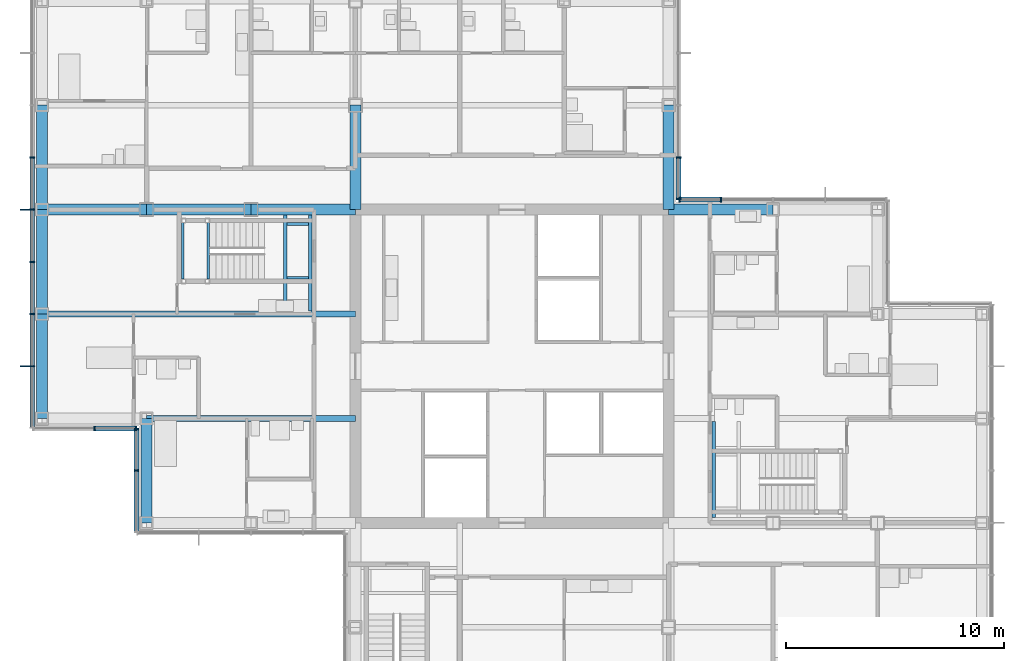
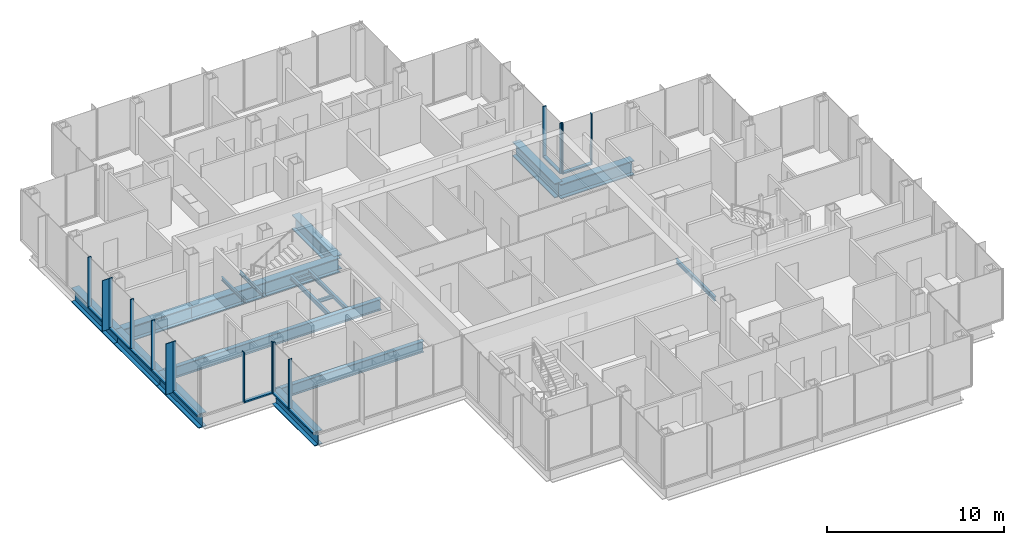
# One storey, part 7 of 20: 25 members, 19 beams, 5 elements without a shape of their own.
"""IFC4 building model written with IfcOpenShell, lengths in metres."""

from ifc_helpers import new_model, si_unit, direction, frame, origin, origin_2d, place, context, subcontext, project, spatial, rectangle, i_section, extrude, material, material_profile, profile_set, type_object, element, aggregate, save


model = new_model("IFC4")

# Units and contexts
model_context = context("Model", 3, precision=1e-05, world=origin(), true_north=direction((0.0, 1.0)))
body_context = subcontext(model_context, "Body", "Model", "MODEL_VIEW")
ifc_project = project(units=[si_unit("LENGTHUNIT", "METRE"), si_unit("AREAUNIT", "SQUARE_METRE"), si_unit("VOLUMEUNIT", "CUBIC_METRE"), si_unit("PLANEANGLEUNIT", "RADIAN"), si_unit("MASSUNIT", "GRAM", prefix="KILO")], contexts=[model_context])

# Site, building, storey
site_placement = place(None, origin())
site = spatial("IfcSite", under=ifc_project, at=site_placement, CompositionType="ELEMENT")
building_placement = place(site_placement, origin())
building = spatial("IfcBuilding", under=site, at=building_placement, Name="Kvirike Care Tower", CompositionType="ELEMENT")
storey_placement = place(building_placement, frame((0.0, 0.0, 122.5)))
storey = spatial("IfcBuildingStorey", under=building, at=storey_placement, Name="L33", CompositionType="ELEMENT", Elevation=122.5)

# Curtain wall, members
ifc_material_1 = material(Name="Anodised aluminium stick system", Category="aluminium")
curtain_wall_type = type_object("IfcCurtainWallType", Name="CW-B STICK CURTAIN WALL", PredefinedType="NOTDEFINED", material=ifc_material_1)
curtain_wall_1_placement = place(storey_placement, origin())
curtain_wall_1 = element("IfcCurtainWall", 1, at=curtain_wall_1_placement, inside=storey, type_object=curtain_wall_type, Name="Curtain wall L33 face 11", PredefinedType="NOTDEFINED")
ifc_material_2 = material(Name="Bronze anodised aluminium fin", Category="aluminium")
ifc_material_profile_1 = material_profile(ifc_material_2, rectangle(XDim=0.050048828125, YDim=0.449951171875, at=origin_2d()), Name="BRONZE FIN 450")
ifc_profile_set_1 = profile_set([ifc_material_profile_1], Name="Bronze anodised aluminium fin")
member_type_1 = type_object("IfcMemberType", Name="BRONZE FIN 450", PredefinedType="USERDEFINED", material=ifc_profile_set_1)
member_1_placement = place(storey_placement, frame((-0.794921875, 43.199951171875, 0.0), z_axis=(0.0, 0.0, 1.0), x_axis=(0.0, -1.0, 0.0)))
member_1 = element("IfcMember", 2, at=member_1_placement, type_object=member_type_1, Name="Bronze fin L33 face 11.5", ObjectType="FIN", PredefinedType="USERDEFINED", context=body_context, shape_type="SweptSolid", body=[
    extrude(rectangle(XDim=0.050048828125, YDim=0.449951171875, at=origin_2d()), origin(), (0.0, 0.0, 1.0), 3.5),
])
member_2_placement = place(storey_placement, frame((-0.794921875, 36.0, 0.0), z_axis=(0.0, 0.0, 1.0), x_axis=(0.0, -1.0, 0.0)))
member_2 = element("IfcMember", 3, at=member_2_placement, type_object=member_type_1, Name="Bronze fin L33 face 11.8", ObjectType="FIN", PredefinedType="USERDEFINED", context=body_context, shape_type="SweptSolid", body=[
    extrude(rectangle(XDim=0.050048828125, YDim=0.449951171875, at=origin_2d()), origin(), (0.0, 0.0, 1.0), 3.5),
])

curtain_wall_2_placement = place(storey_placement, origin())
curtain_wall_2 = element("IfcCurtainWall", 4, at=curtain_wall_2_placement, inside=storey, type_object=curtain_wall_type, Name="Curtain wall L33 face 4", PredefinedType="NOTDEFINED")
ifc_material_3 = material(Name="Bronze anodised aluminium mullion", Category="aluminium")
ifc_material_profile_2 = material_profile(ifc_material_3, rectangle(XDim=0.06494140625, YDim=0.219970703125, at=origin_2d()), Name="CW-B MULLION 65x220")
ifc_profile_set_2 = profile_set([ifc_material_profile_2], Name="Bronze anodised aluminium mullion")
member_type_2 = type_object("IfcMemberType", Name="CW-B MULLION 65x220", PredefinedType="MULLION", material=ifc_profile_set_2)
member_3_placement = place(storey_placement, frame((31.199951171875, 43.659912109375, 0.0), z_axis=(0.0, 0.0, 1.0), x_axis=(-1.0, 0.0, 0.0)))
member_3 = element("IfcMember", 5, at=member_3_placement, type_object=member_type_2, Name="CW-B mullion L33 face 4.4", PredefinedType="MULLION", context=body_context, shape_type="SweptSolid", body=[
    extrude(rectangle(XDim=0.06494140625, YDim=0.219970703125, at=origin_2d()), origin(), (0.0, 0.0, 1.0), 3.5),
])
member_4_placement = place(storey_placement, frame((29.29248046875, 43.659912109375, 0.0), z_axis=(0.0, 0.0, 1.0), x_axis=(-1.0, 0.0, 0.0)))
member_4 = element("IfcMember", 6, at=member_4_placement, type_object=member_type_2, Name="CW-B mullion L33 face 4.5", PredefinedType="MULLION", context=body_context, shape_type="SweptSolid", body=[
    extrude(rectangle(XDim=0.06494140625, YDim=0.219970703125, at=origin_2d()), origin(), (0.0, 0.0, 1.0), 3.5),
])

curtain_wall_3_placement = place(storey_placement, origin())
curtain_wall_3 = element("IfcCurtainWall", 7, at=curtain_wall_3_placement, inside=storey, type_object=curtain_wall_type, Name="Curtain wall L33 face 5", PredefinedType="NOTDEFINED")
member_5_placement = place(storey_placement, frame((29.260009765625, 43.6923828125, 0.0), z_axis=(0.0, 0.0, 1.0), x_axis=(0.0, 1.0, 0.0)))
member_5 = element("IfcMember", 8, at=member_5_placement, type_object=member_type_2, Name="CW-B mullion L33 face 5.1", PredefinedType="MULLION", context=body_context, shape_type="SweptSolid", body=[
    extrude(rectangle(XDim=0.06494140625, YDim=0.219970703125, at=origin_2d()), origin(), (0.0, 0.0, 1.0), 3.5),
])
member_6_placement = place(storey_placement, frame((29.260009765625, 45.60009765625, 0.0), z_axis=(0.0, 0.0, 1.0), x_axis=(0.0, 1.0, 0.0)))
member_6 = element("IfcMember", 9, at=member_6_placement, type_object=member_type_2, Name="CW-B mullion L33 face 5.2", PredefinedType="MULLION", context=body_context, shape_type="SweptSolid", body=[
    extrude(rectangle(XDim=0.06494140625, YDim=0.219970703125, at=origin_2d()), origin(), (0.0, 0.0, 1.0), 3.5),
])

# Member
member_7_placement = place(storey_placement, frame((-0.4599609375, 45.60009765625, 0.0), z_axis=(0.0, 0.0, 1.0), x_axis=(0.0, -1.0, 0.0)))
member_7 = element("IfcMember", 10, at=member_7_placement, type_object=member_type_2, Name="CW-B mullion L33 face 11.4", PredefinedType="MULLION", context=body_context, shape_type="SweptSolid", body=[
    extrude(rectangle(XDim=0.06494140625, YDim=0.219970703125, at=origin_2d()), origin(), (0.0, 0.0, 1.0), 3.5),
])

member_8_placement = place(storey_placement, frame((-0.4599609375, 43.199951171875, 0.0), z_axis=(0.0, 0.0, 1.0), x_axis=(0.0, -1.0, 0.0)))
member_8 = element("IfcMember", 11, at=member_8_placement, type_object=member_type_2, Name="CW-B mullion L33 face 11.5", PredefinedType="MULLION", context=body_context, shape_type="SweptSolid", body=[
    extrude(rectangle(XDim=0.06494140625, YDim=0.219970703125, at=origin_2d()), origin(), (0.0, 0.0, 1.0), 3.5),
])

member_9_placement = place(storey_placement, frame((-0.4599609375, 40.800048828125, 0.0), z_axis=(0.0, 0.0, 1.0), x_axis=(0.0, -1.0, 0.0)))
member_9 = element("IfcMember", 12, at=member_9_placement, type_object=member_type_2, Name="CW-B mullion L33 face 11.6", PredefinedType="MULLION", context=body_context, shape_type="SweptSolid", body=[
    extrude(rectangle(XDim=0.06494140625, YDim=0.219970703125, at=origin_2d()), origin(), (0.0, 0.0, 1.0), 3.5),
])

member_10_placement = place(storey_placement, frame((-0.4599609375, 38.39990234375, 0.0), z_axis=(0.0, 0.0, 1.0), x_axis=(0.0, -1.0, 0.0)))
member_10 = element("IfcMember", 13, at=member_10_placement, type_object=member_type_2, Name="CW-B mullion L33 face 11.7", PredefinedType="MULLION", context=body_context, shape_type="SweptSolid", body=[
    extrude(rectangle(XDim=0.06494140625, YDim=0.219970703125, at=origin_2d()), origin(), (0.0, 0.0, 1.0), 3.5),
])

member_11_placement = place(storey_placement, frame((-0.4599609375, 36.0, 0.0), z_axis=(0.0, 0.0, 1.0), x_axis=(0.0, -1.0, 0.0)))
member_11 = element("IfcMember", 14, at=member_11_placement, type_object=member_type_2, Name="CW-B mullion L33 face 11.8", PredefinedType="MULLION", context=body_context, shape_type="SweptSolid", body=[
    extrude(rectangle(XDim=0.06494140625, YDim=0.219970703125, at=origin_2d()), origin(), (0.0, 0.0, 1.0), 3.5),
])

# Curtain wall, members
curtain_wall_4_placement = place(storey_placement, origin())
curtain_wall_4 = element("IfcCurtainWall", 15, at=curtain_wall_4_placement, inside=storey, type_object=curtain_wall_type, Name="Curtain wall L33 face 12", PredefinedType="NOTDEFINED")
member_12_placement = place(storey_placement, frame((2.39990234375, 33.139892578125, 0.0), z_axis=(0.0, 0.0, 1.0), x_axis=(1.0, 0.0, 0.0)))
member_12 = element("IfcMember", 16, at=member_12_placement, type_object=member_type_2, Name="CW-B mullion L33 face 12.2", PredefinedType="MULLION", context=body_context, shape_type="SweptSolid", body=[
    extrude(rectangle(XDim=0.06494140625, YDim=0.219970703125, at=origin_2d()), origin(), (0.0, 0.0, 1.0), 3.5),
])
member_13_placement = place(storey_placement, frame((4.3076171875, 33.139892578125, 0.0), z_axis=(0.0, 0.0, 1.0), x_axis=(1.0, 0.0, 0.0)))
member_13 = element("IfcMember", 17, at=member_13_placement, type_object=member_type_2, Name="CW-B mullion L33 face 12.3", PredefinedType="MULLION", context=body_context, shape_type="SweptSolid", body=[
    extrude(rectangle(XDim=0.06494140625, YDim=0.219970703125, at=origin_2d()), origin(), (0.0, 0.0, 1.0), 3.5),
])

curtain_wall_5_placement = place(storey_placement, origin())
curtain_wall_5 = element("IfcCurtainWall", 18, at=curtain_wall_5_placement, inside=storey, type_object=curtain_wall_type, Name="Curtain wall L33 face 13", PredefinedType="NOTDEFINED")
member_14_placement = place(storey_placement, frame((4.340087890625, 33.107421875, 0.0), z_axis=(0.0, 0.0, 1.0), x_axis=(0.0, -1.0, 0.0)))
member_14 = element("IfcMember", 19, at=member_14_placement, type_object=member_type_2, Name="CW-B mullion L33 face 13.1", PredefinedType="MULLION", context=body_context, shape_type="SweptSolid", body=[
    extrude(rectangle(XDim=0.06494140625, YDim=0.219970703125, at=origin_2d()), origin(), (0.0, 0.0, 1.0), 3.5),
])
member_15_placement = place(storey_placement, frame((4.340087890625, 31.199951171875, 0.0), z_axis=(0.0, 0.0, 1.0), x_axis=(0.0, -1.0, 0.0)))
member_15 = element("IfcMember", 20, at=member_15_placement, type_object=member_type_2, Name="CW-B mullion L33 face 13.2", PredefinedType="MULLION", context=body_context, shape_type="SweptSolid", body=[
    extrude(rectangle(XDim=0.06494140625, YDim=0.219970703125, at=origin_2d()), origin(), (0.0, 0.0, 1.0), 3.5),
])

# Member
ifc_material_4 = material(Name="Bronze anodised aluminium transom", Category="aluminium")
ifc_material_profile_3 = material_profile(ifc_material_4, rectangle(XDim=0.219970703125, YDim=0.10009765625, at=origin_2d()), Name="CW-B TRANSOM 220x100")
ifc_profile_set_3 = profile_set([ifc_material_profile_3], Name="Bronze anodised aluminium transom")
member_type_3 = type_object("IfcMemberType", Name="CW-B TRANSOM 220x100", PredefinedType="USERDEFINED", material=ifc_profile_set_3)
member_16_placement = place(storey_placement, frame((31.16748046875, 43.659912109375, 0.050048828125), z_axis=(-1.0, 0.0, 0.0), x_axis=(0.0, -1.0, 0.0)))
member_16 = element("IfcMember", 21, at=member_16_placement, type_object=member_type_3, Name="CW-B sill transom L33 face 4.4", ObjectType="TRANSOM", PredefinedType="USERDEFINED", context=body_context, shape_type="SweptSolid", body=[
    extrude(rectangle(XDim=0.219970703125, YDim=0.10009765625, at=origin_2d()), origin(), (0.0, 0.0, 1.0), 1.842529296875),
])

aggregate(curtain_wall_2, [member_3, member_4, member_16])

member_17_placement = place(storey_placement, frame((29.260009765625, 43.72509765625, 0.050048828125), z_axis=(0.0, 1.0, 0.0), x_axis=(-1.0, 0.0, 0.0)))
member_17 = element("IfcMember", 22, at=member_17_placement, type_object=member_type_3, Name="CW-B sill transom L33 face 5.1", ObjectType="TRANSOM", PredefinedType="USERDEFINED", context=body_context, shape_type="SweptSolid", body=[
    extrude(rectangle(XDim=0.219970703125, YDim=0.10009765625, at=origin_2d()), origin(), (0.0, 0.0, 1.0), 1.84228515625),
])

aggregate(curtain_wall_3, [member_5, member_6, member_17])

member_18_placement = place(storey_placement, frame((-0.4599609375, 45.5673828125, 0.050048828125), z_axis=(0.0, -1.0, 0.0), x_axis=(1.0, 0.0, 0.0)))
member_18 = element("IfcMember", 23, at=member_18_placement, type_object=member_type_3, Name="CW-B sill transom L33 face 11.4", ObjectType="TRANSOM", PredefinedType="USERDEFINED", context=body_context, shape_type="SweptSolid", body=[
    extrude(rectangle(XDim=0.219970703125, YDim=0.10009765625, at=origin_2d()), origin(), (0.0, 0.0, 1.0), 2.3349609375),
])

member_19_placement = place(storey_placement, frame((-0.4599609375, 43.16748046875, 0.050048828125), z_axis=(0.0, -1.0, 0.0), x_axis=(1.0, 0.0, 0.0)))
member_19 = element("IfcMember", 24, at=member_19_placement, type_object=member_type_3, Name="CW-B sill transom L33 face 11.5", ObjectType="TRANSOM", PredefinedType="USERDEFINED", context=body_context, shape_type="SweptSolid", body=[
    extrude(rectangle(XDim=0.219970703125, YDim=0.10009765625, at=origin_2d()), origin(), (0.0, 0.0, 1.0), 2.3349609375),
])

member_20_placement = place(storey_placement, frame((-0.4599609375, 40.767578125, 0.050048828125), z_axis=(0.0, -1.0, 0.0), x_axis=(1.0, 0.0, 0.0)))
member_20 = element("IfcMember", 25, at=member_20_placement, type_object=member_type_3, Name="CW-B sill transom L33 face 11.6", ObjectType="TRANSOM", PredefinedType="USERDEFINED", context=body_context, shape_type="SweptSolid", body=[
    extrude(rectangle(XDim=0.219970703125, YDim=0.10009765625, at=origin_2d()), origin(), (0.0, 0.0, 1.0), 2.3349609375),
])

member_21_placement = place(storey_placement, frame((-0.4599609375, 38.367431640625, 0.050048828125), z_axis=(0.0, -1.0, 0.0), x_axis=(1.0, 0.0, 0.0)))
member_21 = element("IfcMember", 26, at=member_21_placement, type_object=member_type_3, Name="CW-B sill transom L33 face 11.7", ObjectType="TRANSOM", PredefinedType="USERDEFINED", context=body_context, shape_type="SweptSolid", body=[
    extrude(rectangle(XDim=0.219970703125, YDim=0.10009765625, at=origin_2d()), origin(), (0.0, 0.0, 1.0), 2.3349609375),
])

member_22_placement = place(storey_placement, frame((-0.4599609375, 35.967529296875, 0.050048828125), z_axis=(0.0, -1.0, 0.0), x_axis=(1.0, 0.0, 0.0)))
member_22 = element("IfcMember", 27, at=member_22_placement, type_object=member_type_3, Name="CW-B sill transom L33 face 11.8", ObjectType="TRANSOM", PredefinedType="USERDEFINED", context=body_context, shape_type="SweptSolid", body=[
    extrude(rectangle(XDim=0.219970703125, YDim=0.10009765625, at=origin_2d()), origin(), (0.0, 0.0, 1.0), 2.762451171875),
])

aggregate(curtain_wall_1, [member_7, member_8, member_1, member_9, member_10, member_11, member_2, member_18, member_19, member_20, member_21, member_22])

member_23_placement = place(storey_placement, frame((2.4326171875, 33.139892578125, 0.050048828125), z_axis=(1.0, 0.0, 0.0), x_axis=(0.0, 1.0, 0.0)))
member_23 = element("IfcMember", 28, at=member_23_placement, type_object=member_type_3, Name="CW-B sill transom L33 face 12.2", ObjectType="TRANSOM", PredefinedType="USERDEFINED", context=body_context, shape_type="SweptSolid", body=[
    extrude(rectangle(XDim=0.219970703125, YDim=0.10009765625, at=origin_2d()), origin(), (0.0, 0.0, 1.0), 1.84228515625),
])

aggregate(curtain_wall_4, [member_12, member_13, member_23])

member_24_placement = place(storey_placement, frame((4.340087890625, 33.074951171875, 0.050048828125), z_axis=(0.0, -1.0, 0.0), x_axis=(1.0, 0.0, 0.0)))
member_24 = element("IfcMember", 29, at=member_24_placement, type_object=member_type_3, Name="CW-B sill transom L33 face 13.1", ObjectType="TRANSOM", PredefinedType="USERDEFINED", context=body_context, shape_type="SweptSolid", body=[
    extrude(rectangle(XDim=0.219970703125, YDim=0.10009765625, at=origin_2d()), origin(), (0.0, 0.0, 1.0), 1.842529296875),
])

member_25_placement = place(storey_placement, frame((4.340087890625, 31.16748046875, 0.050048828125), z_axis=(0.0, -1.0, 0.0), x_axis=(1.0, 0.0, 0.0)))
member_25 = element("IfcMember", 30, at=member_25_placement, type_object=member_type_3, Name="CW-B sill transom L33 face 13.2", ObjectType="TRANSOM", PredefinedType="USERDEFINED", context=body_context, shape_type="SweptSolid", body=[
    extrude(rectangle(XDim=0.219970703125, YDim=0.10009765625, at=origin_2d()), origin(), (0.0, 0.0, 1.0), 2.762451171875),
])

aggregate(curtain_wall_5, [member_14, member_15, member_24, member_25])

# Beams
ifc_material_5 = material(Name="Steel S355", Category="steel")
ifc_material_profile_4 = material_profile(ifc_material_5, i_section(OverallWidth=0.26806640625, OverallDepth=0.77001953125, WebThickness=0.015625, FlangeThickness=0.025390625, FilletRadius=0.01708984375, at=origin_2d()), Name="IPE 750x196")
ifc_profile_set_4 = profile_set([ifc_material_profile_4], Name="Steel S355")
beam_type_1 = type_object("IfcBeamType", Name="FLOOR BEAM IPE 750x196", PredefinedType="BEAM", material=ifc_profile_set_4)
beam_1_placement = place(storey_placement, frame((4.800048828125, 33.60009765625, -0.554931640625), z_axis=(1.0, 0.0, 0.0), x_axis=(0.0, 1.0, 0.0)))
element("IfcBeam", 31, at=beam_1_placement, inside=storey, type_object=beam_type_1, Name="Floor Beam H4-H6 L33", PredefinedType="BEAM", context=body_context, shape_type="SweptSolid", body=[
    extrude(i_section(OverallWidth=0.26806640625, OverallDepth=0.77001953125, WebThickness=0.015625, FlangeThickness=0.025390625, FilletRadius=0.01708984375, at=origin_2d()), origin(), (0.0, 0.0, 1.0), 9.599853515625),
])
beam_2_placement = place(storey_placement, frame((0.0, 38.39990234375, -0.554931640625), z_axis=(1.0, 0.0, 0.0), x_axis=(0.0, 1.0, 0.0)))
element("IfcBeam", 32, at=beam_2_placement, inside=storey, type_object=beam_type_1, Name="Floor Beam J3-J6 L33", PredefinedType="BEAM", context=body_context, shape_type="SweptSolid", body=[
    extrude(i_section(OverallWidth=0.26806640625, OverallDepth=0.77001953125, WebThickness=0.015625, FlangeThickness=0.025390625, FilletRadius=0.01708984375, at=origin_2d()), origin(), (0.0, 0.0, 1.0), 14.39990234375),
])
ifc_material_6 = material(Name="Steel S355", Category="steel")
ifc_material_profile_5 = material_profile(ifc_material_6, i_section(OverallWidth=0.5, OverallDepth=1.0, WebThickness=0.030029296875, FlangeThickness=0.06005859375, at=origin_2d()), Name="PG 1000x500x30x60")
ifc_profile_set_5 = profile_set([ifc_material_profile_5], Name="Steel S355")
beam_type_2 = type_object("IfcBeamType", Name="FRAME BEAM PG 1000x500x30x60", PredefinedType="BEAM", material=ifc_profile_set_5)
for number, where, z_axis, x_axis, name in (
    (33, (0.0, 43.199951171875, -0.669921875), (1.0, 0.0, 0.0), (0.0, 1.0, 0.0), "Frame Beam K3-K4 L33"),
    (34, (4.800048828125, 43.199951171875, -0.669921875), (1.0, 0.0, 0.0), (0.0, 1.0, 0.0), "Frame Beam K4-K5 L33"),
):
    element("IfcBeam", number, at=place(storey_placement, frame(where, z_axis=z_axis, x_axis=x_axis)), inside=storey, type_object=beam_type_2, Name=name, PredefinedType="BEAM", context=body_context, shape_type="SweptSolid", body=[
        extrude(i_section(OverallWidth=0.5, OverallDepth=1.0, WebThickness=0.030029296875, FlangeThickness=0.06005859375, at=origin_2d()), origin(), (0.0, 0.0, 1.0), 4.800048828125),
    ])
beam_3_placement = place(storey_placement, frame((9.60009765625, 43.199951171875, -0.669921875), z_axis=(1.0, 0.0, 0.0), x_axis=(0.0, 1.0, 0.0)))
element("IfcBeam", 35, at=beam_3_placement, inside=storey, type_object=beam_type_2, Name="Frame Beam K5-K6 L33", PredefinedType="BEAM", context=body_context, shape_type="SweptSolid", body=[
    extrude(i_section(OverallWidth=0.5, OverallDepth=1.0, WebThickness=0.030029296875, FlangeThickness=0.06005859375, at=origin_2d()), origin(), (0.0, 0.0, 1.0), 4.7998046875),
])
beam_4_placement = place(storey_placement, frame((14.39990234375, 43.199951171875, -0.669921875), z_axis=(0.0, 1.0, 0.0), x_axis=(-1.0, 0.0, 0.0)))
element("IfcBeam", 36, at=beam_4_placement, inside=storey, type_object=beam_type_2, Name="Frame Beam K6-L6 L33", PredefinedType="BEAM", context=body_context, shape_type="SweptSolid", body=[
    extrude(i_section(OverallWidth=0.5, OverallDepth=1.0, WebThickness=0.030029296875, FlangeThickness=0.06005859375, at=origin_2d()), origin(), (0.0, 0.0, 1.0), 4.800048828125),
])
ifc_material_7 = material(Name="Steel S355", Category="steel")
ifc_material_profile_6 = material_profile(ifc_material_7, i_section(OverallWidth=0.5, OverallDepth=1.0, WebThickness=0.030029296875, FlangeThickness=0.06005859375, at=origin_2d()), Name="PG 1000x500x30x60")
ifc_profile_set_6 = profile_set([ifc_material_profile_6], Name="Steel S355")
beam_type_3 = type_object("IfcBeamType", Name="SPANDREL PG 1000x500x30x60", PredefinedType="SPANDREL", material=ifc_profile_set_6)
beam_5_placement = place(storey_placement, frame((28.800048828125, 43.199951171875, -0.669921875), z_axis=(1.0, 0.0, 0.0), x_axis=(0.0, 1.0, 0.0)))
element("IfcBeam", 37, at=beam_5_placement, inside=storey, type_object=beam_type_3, Name="Spandrel K9-K10 L33", PredefinedType="SPANDREL", context=body_context, shape_type="SweptSolid", body=[
    extrude(i_section(OverallWidth=0.5, OverallDepth=1.0, WebThickness=0.030029296875, FlangeThickness=0.06005859375, at=origin_2d()), origin(), (0.0, 0.0, 1.0), 4.800048828125),
])
beam_6_placement = place(storey_placement, frame((0.0, 33.60009765625, -0.669921875), z_axis=(0.0, 1.0, 0.0), x_axis=(-1.0, 0.0, 0.0)))
element("IfcBeam", 38, at=beam_6_placement, inside=storey, type_object=beam_type_3, Name="Spandrel H3-J3 L33", PredefinedType="SPANDREL", context=body_context, shape_type="SweptSolid", body=[
    extrude(i_section(OverallWidth=0.5, OverallDepth=1.0, WebThickness=0.030029296875, FlangeThickness=0.06005859375, at=origin_2d()), origin(), (0.0, 0.0, 1.0), 4.7998046875),
])
for number, where, z_axis, x_axis, name in (
    (39, (0.0, 38.39990234375, -0.669921875), (0.0, 1.0, 0.0), (-1.0, 0.0, 0.0), "Spandrel J3-K3 L33"),
    (40, (0.0, 43.199951171875, -0.669921875), (0.0, 1.0, 0.0), (-1.0, 0.0, 0.0), "Spandrel K3-L3 L33"),
    (41, (4.800048828125, 28.800048828125, -0.669921875), (0.0, 1.0, 0.0), (-1.0, 0.0, 0.0), "Spandrel G4-H4 L33"),
    (42, (28.800048828125, 43.199951171875, -0.669921875), (0.0, 1.0, 0.0), (-1.0, 0.0, 0.0), "Spandrel K9-L9 L33"),
):
    element("IfcBeam", number, at=place(storey_placement, frame(where, z_axis=z_axis, x_axis=x_axis)), inside=storey, type_object=beam_type_3, Name=name, PredefinedType="SPANDREL", context=body_context, shape_type="SweptSolid", body=[
        extrude(i_section(OverallWidth=0.5, OverallDepth=1.0, WebThickness=0.030029296875, FlangeThickness=0.06005859375, at=origin_2d()), origin(), (0.0, 0.0, 1.0), 4.800048828125),
    ])
ifc_material_8 = material(Name="Steel S355", Category="steel")
ifc_material_profile_7 = material_profile(ifc_material_8, i_section(OverallWidth=0.1201171875, OverallDepth=0.239990234375, WebThickness=0.006103515625, FlangeThickness=0.009765625, FilletRadius=0.014892578125, at=origin_2d()), Name="IPE 240")
ifc_profile_set_7 = profile_set([ifc_material_profile_7], Name="Steel S355")
beam_type_4 = type_object("IfcBeamType", Name="STAIR LANDING BEAM IPE 240", PredefinedType="BEAM", material=ifc_profile_set_7)
for number, where, z_axis, x_axis, name in (
    (43, (6.4599609375, 42.60009765625, 1.429931640625), (0.0, -1.0, 0.0), (1.0, 0.0, 0.0), "Stair 1 landing beam back L33"),
    (44, (7.639892578125, 42.60009765625, 1.429931640625), (0.0, -1.0, 0.0), (1.0, 0.0, 0.0), "Stair 1 landing beam front L33"),
):
    element("IfcBeam", number, at=place(storey_placement, frame(where, z_axis=z_axis, x_axis=x_axis)), inside=storey, type_object=beam_type_4, Name=name, PredefinedType="BEAM", context=body_context, shape_type="SweptSolid", body=[
        extrude(i_section(OverallWidth=0.1201171875, OverallDepth=0.239990234375, WebThickness=0.006103515625, FlangeThickness=0.009765625, FilletRadius=0.014892578125, at=origin_2d()), origin(), (0.0, 0.0, 1.0), 2.60009765625),
    ])
for number, where, z_axis, x_axis, name in (
    (45, (11.25, 42.5400390625, -0.320068359375), (1.0, 0.0, 0.0), (0.0, 1.0, 0.0), "Stair 1 landing edge beam 1 L33"),
    (46, (11.25, 40.06005859375, -0.320068359375), (1.0, 0.0, 0.0), (0.0, 1.0, 0.0), "Stair 1 landing edge beam 2 L33"),
):
    element("IfcBeam", number, at=place(storey_placement, frame(where, z_axis=z_axis, x_axis=x_axis)), inside=storey, type_object=beam_type_4, Name=name, PredefinedType="BEAM", context=body_context, shape_type="SweptSolid", body=[
        extrude(i_section(OverallWidth=0.1201171875, OverallDepth=0.239990234375, WebThickness=0.006103515625, FlangeThickness=0.009765625, FilletRadius=0.014892578125, at=origin_2d()), origin(), (0.0, 0.0, 1.0), 1.0),
    ])
ifc_material_9 = material(Name="Steel S355", Category="steel")
ifc_material_profile_8 = material_profile(ifc_material_9, i_section(OverallWidth=0.14990234375, OverallDepth=0.300048828125, WebThickness=0.007080078125, FlangeThickness=0.0107421875, FilletRadius=0.014892578125, at=origin_2d()), Name="IPE 300")
ifc_profile_set_8 = profile_set([ifc_material_profile_8], Name="Steel S355")
beam_type_5 = type_object("IfcBeamType", Name="STAIR TRIMMER IPE 300", PredefinedType="BEAM", material=ifc_profile_set_8)
for number, where, z_axis, x_axis, name in (
    (47, (11.175048828125, 42.949951171875, -0.35009765625), (0.0, -1.0, 0.0), (1.0, 0.0, 0.0), "Stair 1 trimmer 1 L33"),
    (48, (12.324951171875, 42.949951171875, -0.35009765625), (0.0, -1.0, 0.0), (1.0, 0.0, 0.0), "Stair 1 trimmer 2 L33"),
    (49, (30.875, 29.050048828125, -0.35009765625), (0.0, 1.0, 0.0), (-1.0, 0.0, 0.0), "Stair 2 trimmer 2 L33"),
):
    element("IfcBeam", number, at=place(storey_placement, frame(where, z_axis=z_axis, x_axis=x_axis)), inside=storey, type_object=beam_type_5, Name=name, PredefinedType="BEAM", context=body_context, shape_type="SweptSolid", body=[
        extrude(i_section(OverallWidth=0.14990234375, OverallDepth=0.300048828125, WebThickness=0.007080078125, FlangeThickness=0.0107421875, FilletRadius=0.014892578125, at=origin_2d()), origin(), (0.0, 0.0, 1.0), 4.416015625),
    ])

save(model, "model.ifc")
